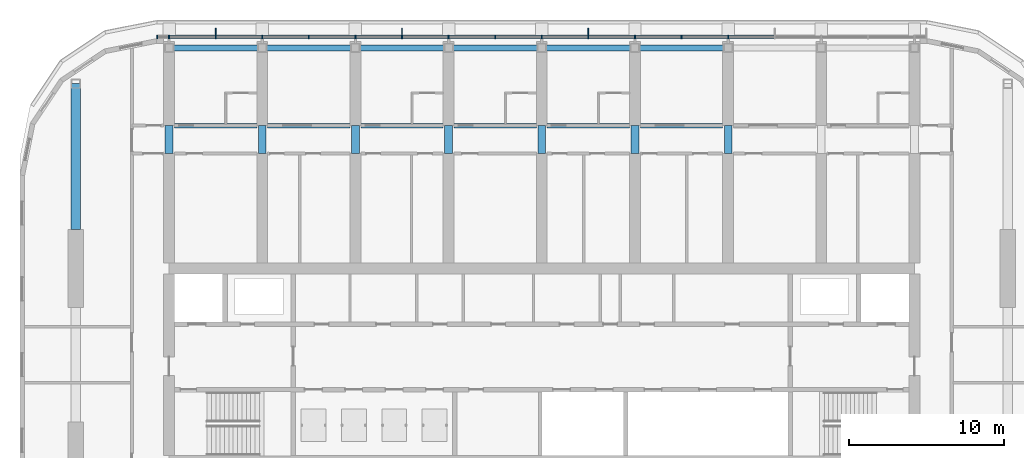
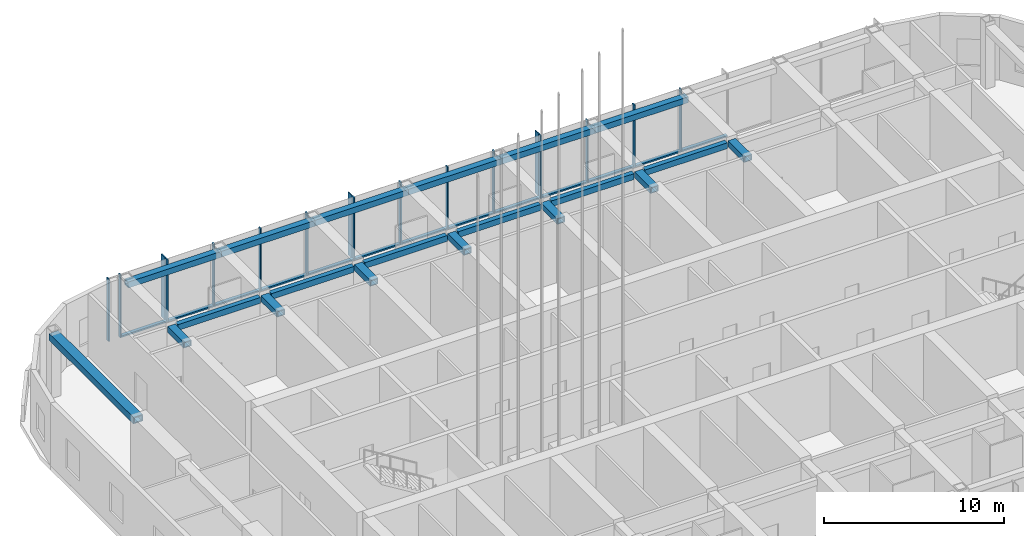
# One storey, part 4 of 35: 30 members, 20 beams, 1 element without a shape of its own.
"""IFC4 building model written with IfcOpenShell, lengths in metres."""

from ifc_helpers import new_model, si_unit, direction, frame, origin, origin_2d, place, context, subcontext, project, spatial, rectangle, hollow_rectangle, extrude, material, material_profile, profile_set, type_object, element, aggregate, save


model = new_model("IFC4")

# Units and contexts
model_context = context("Model", 3, precision=1e-05, world=origin(), true_north=direction((0.0, 1.0)))
body_context = subcontext(model_context, "Body", "Model", "MODEL_VIEW")
ifc_project = project(units=[si_unit("LENGTHUNIT", "METRE"), si_unit("AREAUNIT", "SQUARE_METRE"), si_unit("VOLUMEUNIT", "CUBIC_METRE"), si_unit("PLANEANGLEUNIT", "RADIAN"), si_unit("MASSUNIT", "GRAM", prefix="KILO")], contexts=[model_context])

# Site, building, storey
site_placement = place(None, origin())
site = spatial("IfcSite", under=ifc_project, at=site_placement, CompositionType="ELEMENT")
building_placement = place(site_placement, origin())
building = spatial("IfcBuilding", under=site, at=building_placement, Name="Orbita Commons", CompositionType="ELEMENT")
storey_placement = place(building_placement, frame((0.0, 0.0, 208.300048828125)))
storey = spatial("IfcBuildingStorey", under=building, at=storey_placement, Name="L51", CompositionType="ELEMENT", Elevation=208.300048828125)

# Curtain wall, members
ifc_material_1 = material(Name="Anodised aluminium frame, pale silver", Category="aluminium")
curtain_wall_type = type_object("IfcCurtainWallType", Name="Unitised curtain wall CW-S, full-height", PredefinedType="NOTDEFINED", material=ifc_material_1)
curtain_wall_placement = place(storey_placement, origin())
curtain_wall = element("IfcCurtainWall", 1, at=curtain_wall_placement, inside=storey, type_object=curtain_wall_type, Name="Curtain wall north L51", PredefinedType="NOTDEFINED")
ifc_material_2 = material(Name="Anodised aluminium, pale silver", Category="aluminium")
ifc_material_profile_1 = material_profile(ifc_material_2, rectangle(XDim=0.080078125, YDim=0.219970703125, at=origin_2d()), Name="AL 80x220")
ifc_profile_set_1 = profile_set([ifc_material_profile_1], Name="Anodised aluminium, pale silver")
member_type_1 = type_object("IfcMemberType", Name="Curtain wall mullion 80x220", PredefinedType="MULLION", material=ifc_profile_set_1)
member_1_placement = place(storey_placement, frame((54.0, 53.110107421875, 0.0), z_axis=(0.0, 0.0, 1.0), x_axis=(-1.0, 0.0, 0.0)))
member_1 = element("IfcMember", 2, at=member_1_placement, type_object=member_type_1, Name="Mullion 6 CW-L51-N", PredefinedType="MULLION", context=body_context, shape_type="SweptSolid", body=[
    extrude(rectangle(XDim=0.080078125, YDim=0.219970703125, at=origin_2d()), origin(), (0.0, 0.0, 1.0), 4.25),
])
member_2_placement = place(storey_placement, frame((51.0, 53.110107421875, 0.0), z_axis=(0.0, 0.0, 1.0), x_axis=(-1.0, 0.0, 0.0)))
member_2 = element("IfcMember", 3, at=member_2_placement, type_object=member_type_1, Name="Mullion 7 CW-L51-N", PredefinedType="MULLION", context=body_context, shape_type="SweptSolid", body=[
    extrude(rectangle(XDim=0.080078125, YDim=0.219970703125, at=origin_2d()), origin(), (0.0, 0.0, 1.0), 4.25),
])
member_3_placement = place(storey_placement, frame((48.0, 53.110107421875, 0.0), z_axis=(0.0, 0.0, 1.0), x_axis=(-1.0, 0.0, 0.0)))
member_3 = element("IfcMember", 4, at=member_3_placement, type_object=member_type_1, Name="Mullion 8 CW-L51-N", PredefinedType="MULLION", context=body_context, shape_type="SweptSolid", body=[
    extrude(rectangle(XDim=0.080078125, YDim=0.219970703125, at=origin_2d()), origin(), (0.0, 0.0, 1.0), 4.25),
])
member_4_placement = place(storey_placement, frame((45.0, 53.110107421875, 0.0), z_axis=(0.0, 0.0, 1.0), x_axis=(-1.0, 0.0, 0.0)))
member_4 = element("IfcMember", 5, at=member_4_placement, type_object=member_type_1, Name="Mullion 9 CW-L51-N", PredefinedType="MULLION", context=body_context, shape_type="SweptSolid", body=[
    extrude(rectangle(XDim=0.080078125, YDim=0.219970703125, at=origin_2d()), origin(), (0.0, 0.0, 1.0), 4.25),
])
member_5_placement = place(storey_placement, frame((42.0, 53.110107421875, 0.0), z_axis=(0.0, 0.0, 1.0), x_axis=(-1.0, 0.0, 0.0)))
member_5 = element("IfcMember", 6, at=member_5_placement, type_object=member_type_1, Name="Mullion 10 CW-L51-N", PredefinedType="MULLION", context=body_context, shape_type="SweptSolid", body=[
    extrude(rectangle(XDim=0.080078125, YDim=0.219970703125, at=origin_2d()), origin(), (0.0, 0.0, 1.0), 4.25),
])
member_6_placement = place(storey_placement, frame((39.0, 53.110107421875, 0.0), z_axis=(0.0, 0.0, 1.0), x_axis=(-1.0, 0.0, 0.0)))
member_6 = element("IfcMember", 7, at=member_6_placement, type_object=member_type_1, Name="Mullion 11 CW-L51-N", PredefinedType="MULLION", context=body_context, shape_type="SweptSolid", body=[
    extrude(rectangle(XDim=0.080078125, YDim=0.219970703125, at=origin_2d()), origin(), (0.0, 0.0, 1.0), 4.25),
])
member_7_placement = place(storey_placement, frame((36.0, 53.110107421875, 0.0), z_axis=(0.0, 0.0, 1.0), x_axis=(-1.0, 0.0, 0.0)))
member_7 = element("IfcMember", 8, at=member_7_placement, type_object=member_type_1, Name="Mullion 12 CW-L51-N", PredefinedType="MULLION", context=body_context, shape_type="SweptSolid", body=[
    extrude(rectangle(XDim=0.080078125, YDim=0.219970703125, at=origin_2d()), origin(), (0.0, 0.0, 1.0), 4.25),
])
member_8_placement = place(storey_placement, frame((33.0, 53.110107421875, 0.0), z_axis=(0.0, 0.0, 1.0), x_axis=(-1.0, 0.0, 0.0)))
member_8 = element("IfcMember", 9, at=member_8_placement, type_object=member_type_1, Name="Mullion 13 CW-L51-N", PredefinedType="MULLION", context=body_context, shape_type="SweptSolid", body=[
    extrude(rectangle(XDim=0.080078125, YDim=0.219970703125, at=origin_2d()), origin(), (0.0, 0.0, 1.0), 4.25),
])
member_9_placement = place(storey_placement, frame((30.0, 53.110107421875, 0.0), z_axis=(0.0, 0.0, 1.0), x_axis=(-1.0, 0.0, 0.0)))
member_9 = element("IfcMember", 10, at=member_9_placement, type_object=member_type_1, Name="Mullion 14 CW-L51-N", PredefinedType="MULLION", context=body_context, shape_type="SweptSolid", body=[
    extrude(rectangle(XDim=0.080078125, YDim=0.219970703125, at=origin_2d()), origin(), (0.0, 0.0, 1.0), 4.25),
])
member_10_placement = place(storey_placement, frame((27.0, 53.110107421875, 0.0), z_axis=(0.0, 0.0, 1.0), x_axis=(-1.0, 0.0, 0.0)))
member_10 = element("IfcMember", 11, at=member_10_placement, type_object=member_type_1, Name="Mullion 15 CW-L51-N", PredefinedType="MULLION", context=body_context, shape_type="SweptSolid", body=[
    extrude(rectangle(XDim=0.080078125, YDim=0.219970703125, at=origin_2d()), origin(), (0.0, 0.0, 1.0), 4.25),
])
member_11_placement = place(storey_placement, frame((24.0, 53.110107421875, 0.0), z_axis=(0.0, 0.0, 1.0), x_axis=(-1.0, 0.0, 0.0)))
member_11 = element("IfcMember", 12, at=member_11_placement, type_object=member_type_1, Name="Mullion 16 CW-L51-N", PredefinedType="MULLION", context=body_context, shape_type="SweptSolid", body=[
    extrude(rectangle(XDim=0.080078125, YDim=0.219970703125, at=origin_2d()), origin(), (0.0, 0.0, 1.0), 4.25),
])
member_12_placement = place(storey_placement, frame((21.0, 53.110107421875, 0.0), z_axis=(0.0, 0.0, 1.0), x_axis=(-1.0, 0.0, 0.0)))
member_12 = element("IfcMember", 13, at=member_12_placement, type_object=member_type_1, Name="Mullion 17 CW-L51-N", PredefinedType="MULLION", context=body_context, shape_type="SweptSolid", body=[
    extrude(rectangle(XDim=0.080078125, YDim=0.219970703125, at=origin_2d()), origin(), (0.0, 0.0, 1.0), 4.25),
])
member_13_placement = place(storey_placement, frame((18.0, 53.110107421875, 0.0), z_axis=(0.0, 0.0, 1.0), x_axis=(-1.0, 0.0, 0.0)))
member_13 = element("IfcMember", 14, at=member_13_placement, type_object=member_type_1, Name="Mullion 18 CW-L51-N", PredefinedType="MULLION", context=body_context, shape_type="SweptSolid", body=[
    extrude(rectangle(XDim=0.080078125, YDim=0.219970703125, at=origin_2d()), origin(), (0.0, 0.0, 1.0), 4.25),
])
member_14_placement = place(storey_placement, frame((17.239990234375, 53.110107421875, 0.0), z_axis=(0.0, 0.0, 1.0), x_axis=(-1.0, 0.0, 0.0)))
member_14 = element("IfcMember", 15, at=member_14_placement, type_object=member_type_1, Name="Mullion 19 CW-L51-N", PredefinedType="MULLION", context=body_context, shape_type="SweptSolid", body=[
    extrude(rectangle(XDim=0.080078125, YDim=0.219970703125, at=origin_2d()), origin(), (0.0, 0.0, 1.0), 4.25),
])
ifc_material_3 = material(Name="Anodised aluminium, pale silver", Category="aluminium")
ifc_material_profile_2 = material_profile(ifc_material_3, rectangle(XDim=0.219970703125, YDim=0.10009765625, at=origin_2d()), Name="AL 220x100")
ifc_profile_set_2 = profile_set([ifc_material_profile_2], Name="Anodised aluminium, pale silver")
member_type_2 = type_object("IfcMemberType", Name="Curtain wall stack transom 220x100", PredefinedType="USERDEFINED", material=ifc_profile_set_2)
member_15_placement = place(storey_placement, frame((56.9599609375, 53.110107421875, 0.050048828125), z_axis=(-1.0, 0.0, 0.0), x_axis=(0.0, -1.0, 0.0)))
member_15 = element("IfcMember", 16, at=member_15_placement, type_object=member_type_2, Name="Transom 5.1 CW-L51-N", ObjectType="TRANSOM", PredefinedType="USERDEFINED", context=body_context, shape_type="SweptSolid", body=[
    extrude(rectangle(XDim=0.219970703125, YDim=0.10009765625, at=origin_2d()), origin(), (0.0, 0.0, 1.0), 2.919921875),
])
member_16_placement = place(storey_placement, frame((53.9599609375, 53.110107421875, 0.050048828125), z_axis=(-1.0, 0.0, 0.0), x_axis=(0.0, -1.0, 0.0)))
member_16 = element("IfcMember", 17, at=member_16_placement, type_object=member_type_2, Name="Transom 6.1 CW-L51-N", ObjectType="TRANSOM", PredefinedType="USERDEFINED", context=body_context, shape_type="SweptSolid", body=[
    extrude(rectangle(XDim=0.219970703125, YDim=0.10009765625, at=origin_2d()), origin(), (0.0, 0.0, 1.0), 2.919921875),
])
member_17_placement = place(storey_placement, frame((50.9599609375, 53.110107421875, 0.050048828125), z_axis=(-1.0, 0.0, 0.0), x_axis=(0.0, -1.0, 0.0)))
member_17 = element("IfcMember", 18, at=member_17_placement, type_object=member_type_2, Name="Transom 7.1 CW-L51-N", ObjectType="TRANSOM", PredefinedType="USERDEFINED", context=body_context, shape_type="SweptSolid", body=[
    extrude(rectangle(XDim=0.219970703125, YDim=0.10009765625, at=origin_2d()), origin(), (0.0, 0.0, 1.0), 2.919921875),
])
member_18_placement = place(storey_placement, frame((47.9599609375, 53.110107421875, 0.050048828125), z_axis=(-1.0, 0.0, 0.0), x_axis=(0.0, -1.0, 0.0)))
member_18 = element("IfcMember", 19, at=member_18_placement, type_object=member_type_2, Name="Transom 8.1 CW-L51-N", ObjectType="TRANSOM", PredefinedType="USERDEFINED", context=body_context, shape_type="SweptSolid", body=[
    extrude(rectangle(XDim=0.219970703125, YDim=0.10009765625, at=origin_2d()), origin(), (0.0, 0.0, 1.0), 2.919921875),
])
member_19_placement = place(storey_placement, frame((44.9599609375, 53.110107421875, 0.050048828125), z_axis=(-1.0, 0.0, 0.0), x_axis=(0.0, -1.0, 0.0)))
member_19 = element("IfcMember", 20, at=member_19_placement, type_object=member_type_2, Name="Transom 9.1 CW-L51-N", ObjectType="TRANSOM", PredefinedType="USERDEFINED", context=body_context, shape_type="SweptSolid", body=[
    extrude(rectangle(XDim=0.219970703125, YDim=0.10009765625, at=origin_2d()), origin(), (0.0, 0.0, 1.0), 2.919921875),
])
member_20_placement = place(storey_placement, frame((41.9599609375, 53.110107421875, 0.050048828125), z_axis=(-1.0, 0.0, 0.0), x_axis=(0.0, -1.0, 0.0)))
member_20 = element("IfcMember", 21, at=member_20_placement, type_object=member_type_2, Name="Transom 10.1 CW-L51-N", ObjectType="TRANSOM", PredefinedType="USERDEFINED", context=body_context, shape_type="SweptSolid", body=[
    extrude(rectangle(XDim=0.219970703125, YDim=0.10009765625, at=origin_2d()), origin(), (0.0, 0.0, 1.0), 2.919921875),
])
member_21_placement = place(storey_placement, frame((38.9599609375, 53.110107421875, 0.050048828125), z_axis=(-1.0, 0.0, 0.0), x_axis=(0.0, -1.0, 0.0)))
member_21 = element("IfcMember", 22, at=member_21_placement, type_object=member_type_2, Name="Transom 11.1 CW-L51-N", ObjectType="TRANSOM", PredefinedType="USERDEFINED", context=body_context, shape_type="SweptSolid", body=[
    extrude(rectangle(XDim=0.219970703125, YDim=0.10009765625, at=origin_2d()), origin(), (0.0, 0.0, 1.0), 2.919921875),
])
member_22_placement = place(storey_placement, frame((35.9599609375, 53.110107421875, 0.050048828125), z_axis=(-1.0, 0.0, 0.0), x_axis=(0.0, -1.0, 0.0)))
member_22 = element("IfcMember", 23, at=member_22_placement, type_object=member_type_2, Name="Transom 12.1 CW-L51-N", ObjectType="TRANSOM", PredefinedType="USERDEFINED", context=body_context, shape_type="SweptSolid", body=[
    extrude(rectangle(XDim=0.219970703125, YDim=0.10009765625, at=origin_2d()), origin(), (0.0, 0.0, 1.0), 2.919921875),
])
member_23_placement = place(storey_placement, frame((32.9599609375, 53.110107421875, 0.050048828125), z_axis=(-1.0, 0.0, 0.0), x_axis=(0.0, -1.0, 0.0)))
member_23 = element("IfcMember", 24, at=member_23_placement, type_object=member_type_2, Name="Transom 13.1 CW-L51-N", ObjectType="TRANSOM", PredefinedType="USERDEFINED", context=body_context, shape_type="SweptSolid", body=[
    extrude(rectangle(XDim=0.219970703125, YDim=0.10009765625, at=origin_2d()), origin(), (0.0, 0.0, 1.0), 2.919921875),
])
member_24_placement = place(storey_placement, frame((29.9599609375, 53.110107421875, 0.050048828125), z_axis=(-1.0, 0.0, 0.0), x_axis=(0.0, -1.0, 0.0)))
member_24 = element("IfcMember", 25, at=member_24_placement, type_object=member_type_2, Name="Transom 14.1 CW-L51-N", ObjectType="TRANSOM", PredefinedType="USERDEFINED", context=body_context, shape_type="SweptSolid", body=[
    extrude(rectangle(XDim=0.219970703125, YDim=0.10009765625, at=origin_2d()), origin(), (0.0, 0.0, 1.0), 2.919921875),
])
member_25_placement = place(storey_placement, frame((26.9599609375, 53.110107421875, 0.050048828125), z_axis=(-1.0, 0.0, 0.0), x_axis=(0.0, -1.0, 0.0)))
member_25 = element("IfcMember", 26, at=member_25_placement, type_object=member_type_2, Name="Transom 15.1 CW-L51-N", ObjectType="TRANSOM", PredefinedType="USERDEFINED", context=body_context, shape_type="SweptSolid", body=[
    extrude(rectangle(XDim=0.219970703125, YDim=0.10009765625, at=origin_2d()), origin(), (0.0, 0.0, 1.0), 2.919921875),
])
member_26_placement = place(storey_placement, frame((23.9599609375, 53.110107421875, 0.050048828125), z_axis=(-1.0, 0.0, 0.0), x_axis=(0.0, -1.0, 0.0)))
member_26 = element("IfcMember", 27, at=member_26_placement, type_object=member_type_2, Name="Transom 16.1 CW-L51-N", ObjectType="TRANSOM", PredefinedType="USERDEFINED", context=body_context, shape_type="SweptSolid", body=[
    extrude(rectangle(XDim=0.219970703125, YDim=0.10009765625, at=origin_2d()), origin(), (0.0, 0.0, 1.0), 2.919921875),
])
member_27_placement = place(storey_placement, frame((20.9599609375, 53.110107421875, 0.050048828125), z_axis=(-1.0, 0.0, 0.0), x_axis=(0.0, -1.0, 0.0)))
member_27 = element("IfcMember", 28, at=member_27_placement, type_object=member_type_2, Name="Transom 17.1 CW-L51-N", ObjectType="TRANSOM", PredefinedType="USERDEFINED", context=body_context, shape_type="SweptSolid", body=[
    extrude(rectangle(XDim=0.219970703125, YDim=0.10009765625, at=origin_2d()), origin(), (0.0, 0.0, 1.0), 2.919921875),
])

# Beams
ifc_material_4 = material(Name="Steel ASTM A572 Gr 50 welded plate", Category="steel")
ifc_material_profile_3 = material_profile(ifc_material_4, hollow_rectangle(XDim=0.300048828125, YDim=0.39990234375, WallThickness=0.0400390625, at=origin_2d()), Name="BOX 400x300x40")
ifc_profile_set_3 = profile_set([ifc_material_profile_3], Name="Steel ASTM A572 Gr 50 welded plate")
beam_type_1 = type_object("IfcBeamType", Name="Steel corridor link BOX 400x300x40", PredefinedType="BEAM", material=ifc_profile_set_3)
for number, where, z_axis, x_axis, name in (
    (29, (18.35009765625, 47.39990234375, 4.050048828125), (1.0, 0.0, 0.0), (0.0, 1.0, 0.0), "Corridor beam NB 4-5 L51"),
    (30, (24.35009765625, 47.39990234375, 4.050048828125), (1.0, 0.0, 0.0), (0.0, 1.0, 0.0), "Corridor beam NB 5-6 L51"),
    (31, (30.35009765625, 47.39990234375, 4.050048828125), (1.0, 0.0, 0.0), (0.0, 1.0, 0.0), "Corridor beam NB 6-7 L51"),
    (32, (36.35009765625, 47.39990234375, 4.050048828125), (1.0, 0.0, 0.0), (0.0, 1.0, 0.0), "Corridor beam NB 7-8 L51"),
    (33, (42.35009765625, 47.39990234375, 4.050048828125), (1.0, 0.0, 0.0), (0.0, 1.0, 0.0), "Corridor beam NB 8-9 L51"),
    (34, (48.35009765625, 47.39990234375, 4.050048828125), (1.0, 0.0, 0.0), (0.0, 1.0, 0.0), "Corridor beam NB 9-10 L51"),
):
    element("IfcBeam", number, at=place(storey_placement, frame(where, z_axis=z_axis, x_axis=x_axis)), inside=storey, type_object=beam_type_1, Name=name, PredefinedType="BEAM", context=body_context, shape_type="SweptSolid", body=[
        extrude(hollow_rectangle(XDim=0.300048828125, YDim=0.39990234375, WallThickness=0.0400390625, at=origin_2d()), origin(), (0.0, 0.0, 1.0), 5.2998046875),
    ])
ifc_material_5 = material(Name="Steel ASTM A572 Gr 50 welded plate", Category="steel")
ifc_material_profile_4 = material_profile(ifc_material_5, hollow_rectangle(XDim=0.5, YDim=0.39990234375, WallThickness=0.050048828125, at=origin_2d()), Name="BOX 400x500x50")
ifc_profile_set_4 = profile_set([ifc_material_profile_4], Name="Steel ASTM A572 Gr 50 welded plate")
beam_type_2 = type_object("IfcBeamType", Name="Steel coupling link BOX 400x500x50", PredefinedType="LINTEL", material=ifc_profile_set_4)
for number, where, z_axis, x_axis, name in (
    (35, (18.0, 45.60009765625, 4.050048828125), (0.0, 1.0, 0.0), (-1.0, 0.0, 0.0), "Coupling beam 4 north L51"),
    (36, (24.0, 45.60009765625, 4.050048828125), (0.0, 1.0, 0.0), (-1.0, 0.0, 0.0), "Coupling beam 5 north L51"),
    (37, (30.0, 45.60009765625, 4.050048828125), (0.0, 1.0, 0.0), (-1.0, 0.0, 0.0), "Coupling beam 6 north L51"),
    (38, (36.0, 45.60009765625, 4.050048828125), (0.0, 1.0, 0.0), (-1.0, 0.0, 0.0), "Coupling beam 7 north L51"),
    (39, (42.0, 45.60009765625, 4.050048828125), (0.0, 1.0, 0.0), (-1.0, 0.0, 0.0), "Coupling beam 8 north L51"),
    (40, (48.0, 45.60009765625, 4.050048828125), (0.0, 1.0, 0.0), (-1.0, 0.0, 0.0), "Coupling beam 9 north L51"),
    (41, (54.0, 45.60009765625, 4.050048828125), (0.0, 1.0, 0.0), (-1.0, 0.0, 0.0), "Coupling beam 10 north L51"),
):
    element("IfcBeam", number, at=place(storey_placement, frame(where, z_axis=z_axis, x_axis=x_axis)), inside=storey, type_object=beam_type_2, Name=name, PredefinedType="LINTEL", context=body_context, shape_type="SweptSolid", body=[
        extrude(hollow_rectangle(XDim=0.5, YDim=0.39990234375, WallThickness=0.050048828125, at=origin_2d()), origin(), (0.0, 0.0, 1.0), 1.7998046875),
    ])
ifc_material_6 = material(Name="Steel ASTM A572 Gr 50 welded plate", Category="steel")
ifc_material_profile_5 = material_profile(ifc_material_6, hollow_rectangle(XDim=0.60009765625, YDim=0.449951171875, WallThickness=0.06005859375, at=origin_2d()), Name="BOX 450x600x60")
ifc_profile_set_5 = profile_set([ifc_material_profile_5], Name="Steel ASTM A572 Gr 50 welded plate")
beam_type_3 = type_object("IfcBeamType", Name="Steel end frame link BOX 450x600x60", PredefinedType="BEAM", material=ifc_profile_set_5)
beam_placement = place(storey_placement, frame((12.0, 40.699951171875, 4.02490234375), z_axis=(0.0, 1.0, 0.0), x_axis=(-1.0, 0.0, 0.0)))
element("IfcBeam", 42, at=beam_placement, inside=storey, type_object=beam_type_3, Name="End frame beam 3 D-E L51", PredefinedType="BEAM", context=body_context, shape_type="SweptSolid", body=[
    extrude(hollow_rectangle(XDim=0.60009765625, YDim=0.449951171875, WallThickness=0.06005859375, at=origin_2d()), origin(), (0.0, 0.0, 1.0), 9.400146484375),
])
ifc_material_7 = material(Name="Steel ASTM A572 Gr 50 welded plate", Category="steel")
ifc_material_profile_6 = material_profile(ifc_material_7, hollow_rectangle(XDim=0.39990234375, YDim=0.39990234375, WallThickness=0.0400390625, at=origin_2d()), Name="BOX 400x400x40")
ifc_profile_set_6 = profile_set([ifc_material_profile_6], Name="Steel ASTM A572 Gr 50 welded plate")
beam_type_4 = type_object("IfcBeamType", Name="Steel spandrel BOX 400x400x40", PredefinedType="SPANDREL", material=ifc_profile_set_6)
for number, where, z_axis, x_axis, name in (
    (43, (18.0, 52.39990234375, 4.050048828125), (1.0, 0.0, 0.0), (0.0, 1.0, 0.0), "Spandrel beam E 4-5 L51"),
    (44, (24.0, 52.39990234375, 4.050048828125), (1.0, 0.0, 0.0), (0.0, 1.0, 0.0), "Spandrel beam E 5-6 L51"),
    (45, (30.0, 52.39990234375, 4.050048828125), (1.0, 0.0, 0.0), (0.0, 1.0, 0.0), "Spandrel beam E 6-7 L51"),
    (46, (36.0, 52.39990234375, 4.050048828125), (1.0, 0.0, 0.0), (0.0, 1.0, 0.0), "Spandrel beam E 7-8 L51"),
    (47, (42.0, 52.39990234375, 4.050048828125), (1.0, 0.0, 0.0), (0.0, 1.0, 0.0), "Spandrel beam E 8-9 L51"),
    (48, (48.0, 52.39990234375, 4.050048828125), (1.0, 0.0, 0.0), (0.0, 1.0, 0.0), "Spandrel beam E 9-10 L51"),
):
    element("IfcBeam", number, at=place(storey_placement, frame(where, z_axis=z_axis, x_axis=x_axis)), inside=storey, type_object=beam_type_4, Name=name, PredefinedType="SPANDREL", context=body_context, shape_type="SweptSolid", body=[
        extrude(hollow_rectangle(XDim=0.39990234375, YDim=0.39990234375, WallThickness=0.0400390625, at=origin_2d()), origin(), (0.0, 0.0, 1.0), 6.0),
    ])

# Member
ifc_material_8 = material(Name="Anodised aluminium, pale silver", Category="aluminium")
ifc_material_profile_7 = material_profile(ifc_material_8, rectangle(XDim=0.06005859375, YDim=0.449951171875, at=origin_2d()), Name="FIN 60x450")
ifc_profile_set_7 = profile_set([ifc_material_profile_7], Name="Anodised aluminium, pale silver")
member_type_3 = type_object("IfcMemberType", Name="Vertical fin 60x450 pale aluminium", PredefinedType="USERDEFINED", material=ifc_profile_set_7)
member_28_placement = place(storey_placement, frame((45.0, 53.445068359375, 0.0), z_axis=(0.0, 0.0, 1.0), x_axis=(-1.0, 0.0, 0.0)))
member_28 = element("IfcMember", 49, at=member_28_placement, type_object=member_type_3, Name="Fin 9 CW-L51-N", ObjectType="FIN", PredefinedType="USERDEFINED", context=body_context, shape_type="SweptSolid", body=[
    extrude(rectangle(XDim=0.06005859375, YDim=0.449951171875, at=origin_2d()), origin(), (0.0, 0.0, 1.0), 4.25),
])

member_29_placement = place(storey_placement, frame((33.0, 53.445068359375, 0.0), z_axis=(0.0, 0.0, 1.0), x_axis=(-1.0, 0.0, 0.0)))
member_29 = element("IfcMember", 50, at=member_29_placement, type_object=member_type_3, Name="Fin 13 CW-L51-N", ObjectType="FIN", PredefinedType="USERDEFINED", context=body_context, shape_type="SweptSolid", body=[
    extrude(rectangle(XDim=0.06005859375, YDim=0.449951171875, at=origin_2d()), origin(), (0.0, 0.0, 1.0), 4.25),
])

member_30_placement = place(storey_placement, frame((21.0, 53.445068359375, 0.0), z_axis=(0.0, 0.0, 1.0), x_axis=(-1.0, 0.0, 0.0)))
member_30 = element("IfcMember", 51, at=member_30_placement, type_object=member_type_3, Name="Fin 17 CW-L51-N", ObjectType="FIN", PredefinedType="USERDEFINED", context=body_context, shape_type="SweptSolid", body=[
    extrude(rectangle(XDim=0.06005859375, YDim=0.449951171875, at=origin_2d()), origin(), (0.0, 0.0, 1.0), 4.25),
])

aggregate(curtain_wall, [member_1, member_2, member_3, member_4, member_28, member_5, member_6, member_7, member_8, member_29, member_9, member_10, member_11, member_12, member_30, member_13, member_14, member_15, member_16, member_17, member_18, member_19, member_20, member_21, member_22, member_23, member_24, member_25, member_26, member_27])

save(model, "model.ifc")
